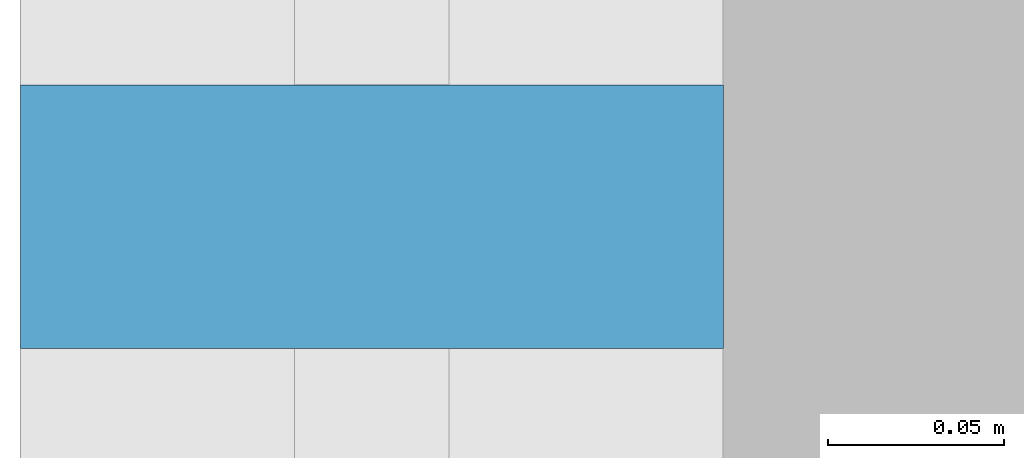
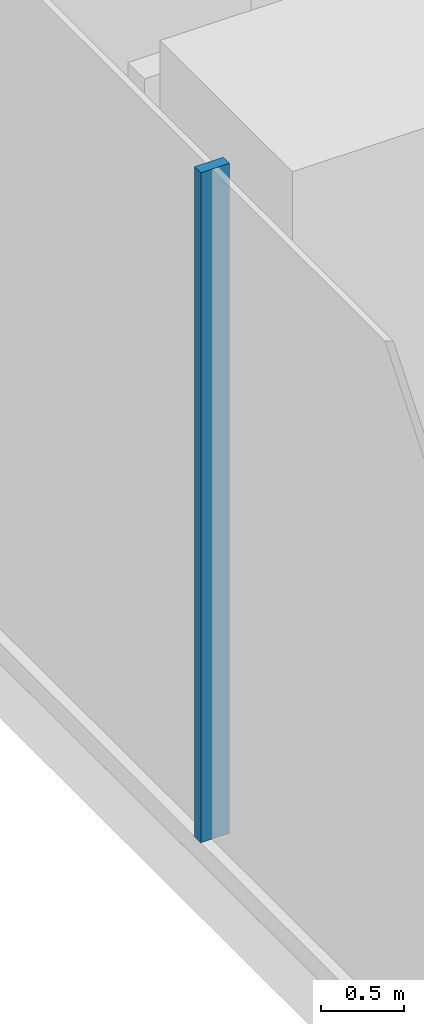
# One storey, part 5 of 30: 1 member, 1 element without a shape of its own.
"""IFC4 building model written with IfcOpenShell, lengths in metres."""

from ifc_helpers import new_model, si_unit, direction, frame, origin, origin_2d, place, context, subcontext, project, spatial, rectangle, extrude, source, transform, mapped, material, material_profile, profile_set, type_object, element, aggregate, save


model = new_model("IFC4")

# Units and contexts
model_context = context("Model", 3, precision=1e-05, world=origin(), true_north=direction((0.0, 1.0)))
body_context = subcontext(model_context, "Body", "Model", "MODEL_VIEW")
ifc_project = project(units=[si_unit("LENGTHUNIT", "METRE"), si_unit("AREAUNIT", "SQUARE_METRE"), si_unit("VOLUMEUNIT", "CUBIC_METRE"), si_unit("PLANEANGLEUNIT", "RADIAN"), si_unit("MASSUNIT", "GRAM", prefix="KILO")], contexts=[model_context])

# Site, building, storey
site_placement = place(None, origin())
site = spatial("IfcSite", under=ifc_project, at=site_placement, CompositionType="ELEMENT")
building_placement = place(site_placement, origin())
building = spatial("IfcBuilding", under=site, at=building_placement, Name="Kemantara Hotel Tower", CompositionType="ELEMENT")
storey_placement = place(building_placement, frame((0.0, 0.0, 7.5)))
storey = spatial("IfcBuildingStorey", under=building, at=storey_placement, Name="L01", CompositionType="ELEMENT", Elevation=7.5)

# Curtain wall, member
ifc_material_1 = material(Name="Laminated tinted insulated glass 44 mm", Category="glass")
curtain_wall_type = type_object("IfcCurtainWallType", Name="PODIUM GLASS CURTAIN WALL", PredefinedType="USERDEFINED", material=ifc_material_1)
curtain_wall_placement = place(storey_placement, origin())
curtain_wall = element("IfcCurtainWall", 1, at=curtain_wall_placement, inside=storey, type_object=curtain_wall_type, Name="CW1 L01 POD-R16-1", ObjectType="PODIUM GLASS CURTAIN WALL", PredefinedType="USERDEFINED")
ifc_material_2 = material(Name="Aluminium 6063-T6 bronze anodised", Category="aluminium")
ifc_material_profile = material_profile(ifc_material_2, rectangle(XDim=0.199951171875, YDim=0.074951171875, at=origin_2d()), Name="PODIUM GLASS CURTAIN WALL MULLION")
ifc_profile_set = profile_set([ifc_material_profile], Name="Aluminium 6063-T6 bronze anodised")
member_type = type_object("IfcMemberType", Name="PODIUM GLASS CURTAIN WALL MULLION", PredefinedType="MULLION", material=ifc_profile_set)
shared_shape = source(origin(), body_context, "Body", "SweptSolid", [
    extrude(rectangle(XDim=0.199951171875, YDim=0.074951171875, at=origin_2d()), origin(), (0.0, 0.0, 1.0), 4.9501953125),
])
member_placement = place(storey_placement, frame((0.10009765625, 36.199951171875, 0.14990234375), z_axis=(0.0, 0.0, 1.0), x_axis=(1.0, 0.0, 0.0)))
member = element("IfcMember", 2, at=member_placement, type_object=member_type, Name="CW1 mullion POD-R16-1.6", PredefinedType="MULLION", context=body_context, shape_type="MappedRepresentation", body=[
    mapped(shared_shape, transform((0.0, 0.0, 0.0))),
])
aggregate(curtain_wall, [member])

save(model, "model.ifc")
